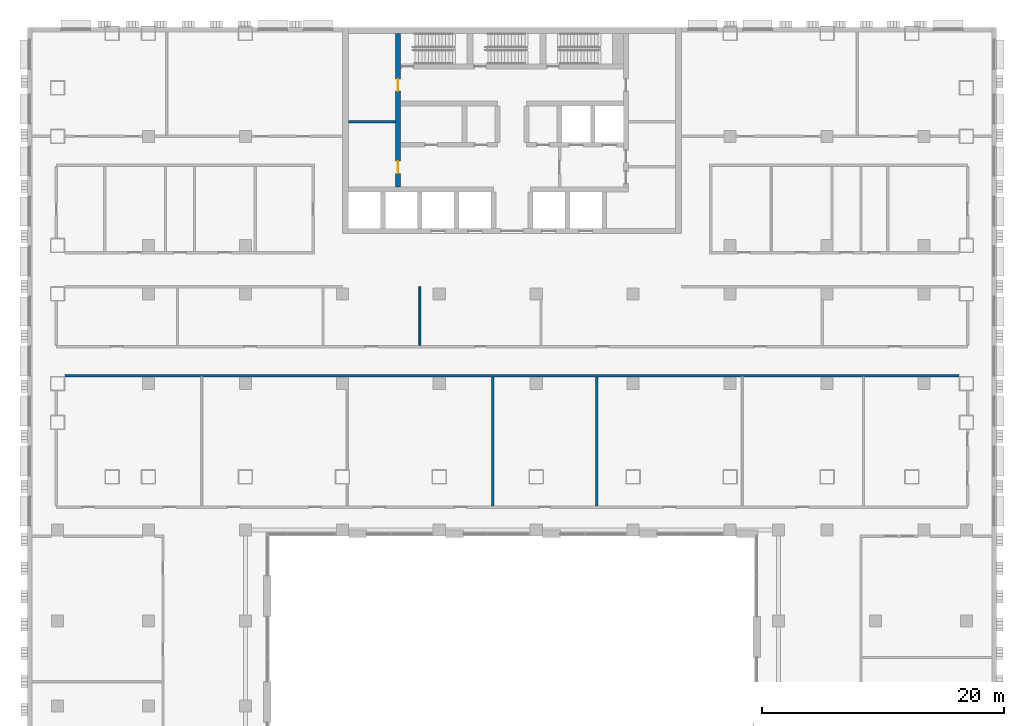
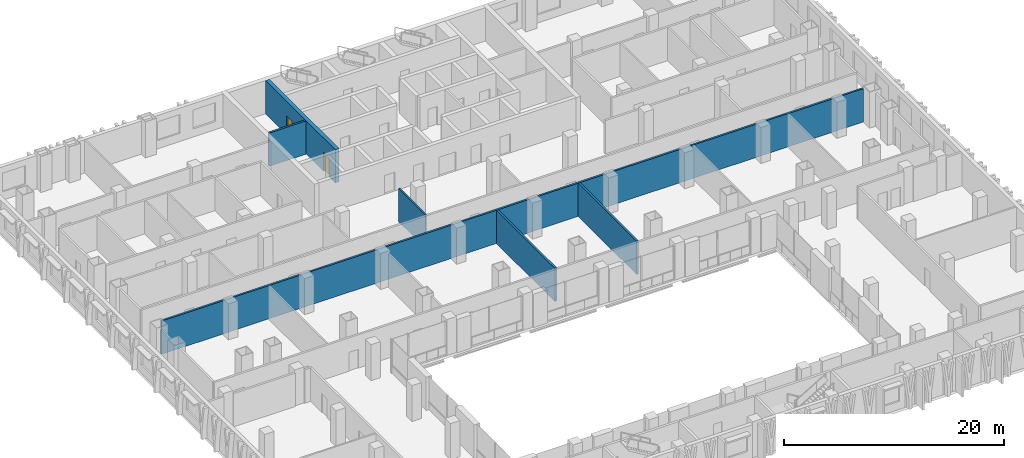
# One storey, part 12 of 25: 6 walls, 2 doors, 2 openings.
"""IFC4 building model written with IfcOpenShell, lengths in metres."""

from ifc_helpers import new_model, si_unit, direction, frame, frame_2d, origin, place, context, subcontext, project, spatial, rectangle, extrude, material, layer, layer_set, type_object, element, fill, save


model = new_model("IFC4")

# Units and contexts
model_context = context("Model", 3, precision=1e-05, world=origin(), true_north=direction((0.0, 1.0)))
body_context = subcontext(model_context, "Body", "Model", "MODEL_VIEW")
ifc_project = project(units=[si_unit("LENGTHUNIT", "METRE"), si_unit("AREAUNIT", "SQUARE_METRE"), si_unit("VOLUMEUNIT", "CUBIC_METRE"), si_unit("PLANEANGLEUNIT", "RADIAN"), si_unit("MASSUNIT", "GRAM", prefix="KILO")], contexts=[model_context])

# Site, building, storey
site_placement = place(None, origin())
site = spatial("IfcSite", under=ifc_project, at=site_placement, CompositionType="ELEMENT")
building_placement = place(site_placement, origin())
building = spatial("IfcBuilding", under=site, at=building_placement, Name="Vidyagriha Tower", CompositionType="ELEMENT")
storey_placement = place(building_placement, frame((0.0, 0.0, 14.0)))
storey = spatial("IfcBuildingStorey", under=building, at=storey_placement, Name="L03", CompositionType="ELEMENT", Elevation=14.0)

# Wall, openings, doors
ifc_material_1 = material(Name="Concrete C60/75", Category="concrete")
ifc_layer_1 = layer(ifc_material_1, 0.39990234375)
ifc_layer_set_1 = layer_set([ifc_layer_1], Name="Concrete C60/75")
wall_type_1 = type_object("IfcWallType", Name="Core shear wall 400 mm", PredefinedType="SHEAR", material=ifc_layer_set_1)
wall_1_placement = place(storey_placement, frame((-9.39990234375, 6.800048828125, 0.0), z_axis=(0.0, 0.0, 1.0), x_axis=(0.0, 1.0, 0.0)))
wall_1 = element("IfcWall", 1, at=wall_1_placement, inside=storey, type_object=wall_type_1, Name="Core west spine wall", PredefinedType="SHEAR", context=body_context, shape_type="SweptSolid", body=[
    extrude(rectangle(XDim=12.699951171875, YDim=0.39990234375, at=frame_2d((6.35009765625, 0.0))), origin(), (0.0, 0.0, 1.0), 3.699951171875),
])
opening_1_placement = place(wall_1_placement, frame((1.14990234375, 0.0, 0.0)))
opening_1 = element("IfcOpeningElement", 2, at=opening_1_placement, cuts=wall_1, Name="Opening D03-09", PredefinedType="OPENING", context=body_context, shape_type="SweptSolid", body=[
    extrude(rectangle(XDim=1.0, YDim=2.10009765625, at=frame_2d((0.5, 1.050048828125))), frame((0.0, 0.2099609375, 0.0), z_axis=(0.0, -1.0, 0.0), x_axis=(1.0, 0.0, 0.0)), (0.0, 0.0, 1.0), 0.419921875),
])
opening_2_placement = place(wall_1_placement, frame((7.925048828125, 0.0, 0.0)))
opening_2 = element("IfcOpeningElement", 3, at=opening_2_placement, cuts=wall_1, Name="Opening D03-10", PredefinedType="OPENING", context=body_context, shape_type="SweptSolid", body=[
    extrude(rectangle(XDim=1.0, YDim=2.10009765625, at=frame_2d((0.5, 1.050048828125))), frame((0.0, 0.2099609375, 0.0), z_axis=(0.0, -1.0, 0.0), x_axis=(1.0, 0.0, 0.0)), (0.0, 0.0, 1.0), 0.419921875),
])
ifc_material_2 = material(Name="Hollow metal door leaf")
door_type = type_object("IfcDoorType", Name="Core room door 1000 x 2100 mm EI 60", OperationType="NOTDEFINED", PredefinedType="DOOR", material=ifc_material_2)
door_1_placement = place(opening_1_placement, frame((1.0, 0.0, 0.0), z_axis=(0.0, 0.0, 1.0), x_axis=(-1.0, 0.0, 0.0)))
door_1 = element("IfcDoor", 4, at=door_1_placement, inside=storey, type_object=door_type, Name="Door Pressurisation Plant Room 03.W1", OperationType="SINGLE_SWING_RIGHT", OverallHeight=2.10009765625, OverallWidth=1.0, PredefinedType="DOOR", context=body_context, shape_type="SweptSolid", body=[
    extrude(rectangle(XDim=1.0, YDim=2.10009765625, at=frame_2d((0.5, 1.050048828125))), frame((0.0, 0.02490234375, 0.0), z_axis=(0.0, -1.0, 0.0), x_axis=(1.0, 0.0, 0.0)), (0.0, 0.0, 1.0), 0.050048828125),
])
fill(opening_1, door_1)
door_2_placement = place(opening_2_placement, frame((1.0, 0.0, 0.0), z_axis=(0.0, 0.0, 1.0), x_axis=(-1.0, 0.0, 0.0)))
door_2 = element("IfcDoor", 5, at=door_2_placement, inside=storey, type_object=door_type, Name="Door Storage Room 03.W2", OperationType="SINGLE_SWING_LEFT", OverallHeight=2.10009765625, OverallWidth=1.0, PredefinedType="DOOR", context=body_context, shape_type="SweptSolid", body=[
    extrude(rectangle(XDim=1.0, YDim=2.10009765625, at=frame_2d((0.5, 1.050048828125))), frame((0.0, 0.02490234375, 0.0), z_axis=(0.0, -1.0, 0.0), x_axis=(1.0, 0.0, 0.0)), (0.0, 0.0, 1.0), 0.050048828125),
])
fill(opening_2, door_2)

# Walls
ifc_material_3 = material(Name="Fire rated gypsum board on light gauge framing")
ifc_layer_2 = layer(ifc_material_3, 0.199951171875)
ifc_layer_set_2 = layer_set([ifc_layer_2], Name="Fire rated gypsum board on light gauge framing")
wall_type_2 = type_object("IfcWallType", Name="Fire Rated Corridor Wall 200", PredefinedType="PARTITIONING", material=ifc_layer_set_2)
wall_2_placement = place(storey_placement, frame((-36.89990234375, -8.75, 0.0)))
element("IfcWall", 6, at=wall_2_placement, inside=storey, type_object=wall_type_2, Name="L03 Fire Rated Corridor Wall 200 022", PredefinedType="PARTITIONING", context=body_context, shape_type="SweptSolid", body=[
    extrude(rectangle(XDim=73.7998046875, YDim=0.199951171875, at=frame_2d((36.89990234375, 0.0))), origin(), (0.0, 0.0, 1.0), 3.699951171875),
])
for number, where, z_axis, x_axis, name in (
    (7, (-1.60009765625, -19.5, 0.0), (0.0, 0.0, 1.0), (0.0, 1.0, 0.0), "L03 Fire Rated Corridor Wall 200 061"),
    (8, (7.0, -19.5, 0.0), (0.0, 0.0, 1.0), (0.0, 1.0, 0.0), "L03 Fire Rated Corridor Wall 200 064"),
):
    element("IfcWall", number, at=place(storey_placement, frame(where, z_axis=z_axis, x_axis=x_axis)), inside=storey, type_object=wall_type_2, Name=name, PredefinedType="PARTITIONING", context=body_context, shape_type="SweptSolid", body=[
        extrude(rectangle(XDim=10.64990234375, YDim=0.199951171875, at=frame_2d((5.324951171875, 0.0))), origin(), (0.0, 0.0, 1.0), 3.699951171875),
    ])
ifc_material_4 = material(Name="Gypsum board on light gauge framing")
ifc_layer_3 = layer(ifc_material_4, 0.14990234375)
ifc_layer_set_3 = layer_set([ifc_layer_3], Name="Gypsum board on light gauge framing")
wall_type_3 = type_object("IfcWallType", Name="Gypsum Board Partition 150", PredefinedType="PARTITIONING", material=ifc_layer_set_3)
wall_3_placement = place(storey_placement, frame((-7.60009765625, -6.25, 0.0), z_axis=(0.0, 0.0, 1.0), x_axis=(0.0, 1.0, 0.0)))
element("IfcWall", 9, at=wall_3_placement, inside=storey, type_object=wall_type_3, Name="L03 Gypsum Board Partition 150 059", PredefinedType="PARTITIONING", context=body_context, shape_type="SweptSolid", body=[
    extrude(rectangle(XDim=4.849853515625, YDim=0.14990234375, at=frame_2d((2.4248046875, 0.0))), origin(), (0.0, 0.0, 1.0), 3.699951171875),
])
ifc_material_5 = material(Name="Blockwork 15 MPa", Category="masonry")
ifc_layer_4 = layer(ifc_material_5, 0.199951171875)
ifc_layer_set_4 = layer_set([ifc_layer_4], Name="Blockwork 15 MPa")
wall_type_4 = type_object("IfcWallType", Name="Service room partition 200 mm", PredefinedType="PARTITIONING", material=ifc_layer_set_4)
wall_4_placement = place(storey_placement, frame((-13.5, 12.199951171875, 0.0)))
element("IfcWall", 10, at=wall_4_placement, inside=storey, type_object=wall_type_4, Name="Core room partition W1", PredefinedType="PARTITIONING", context=body_context, shape_type="SweptSolid", body=[
    extrude(rectangle(XDim=3.89990234375, YDim=0.199951171875, at=frame_2d((1.949951171875, 0.0))), origin(), (0.0, 0.0, 1.0), 3.699951171875),
])

save(model, "model.ifc")
